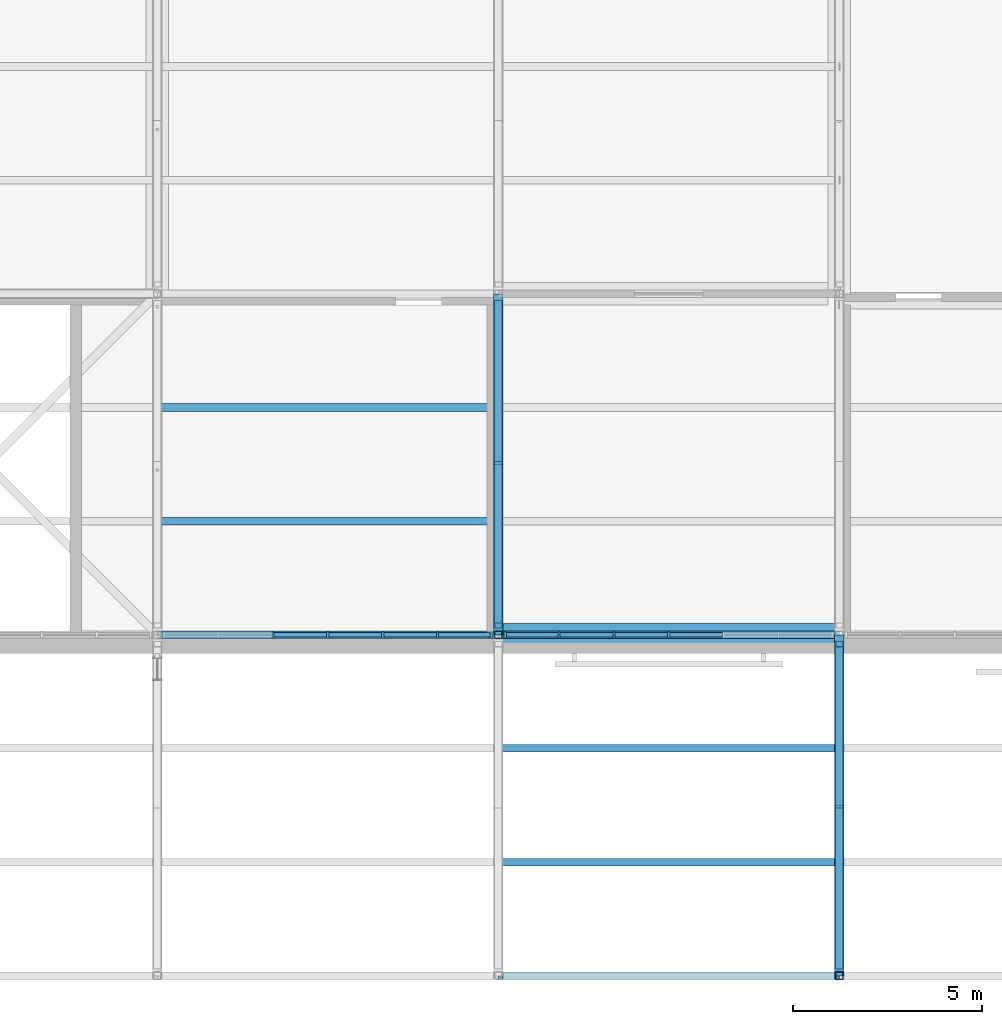
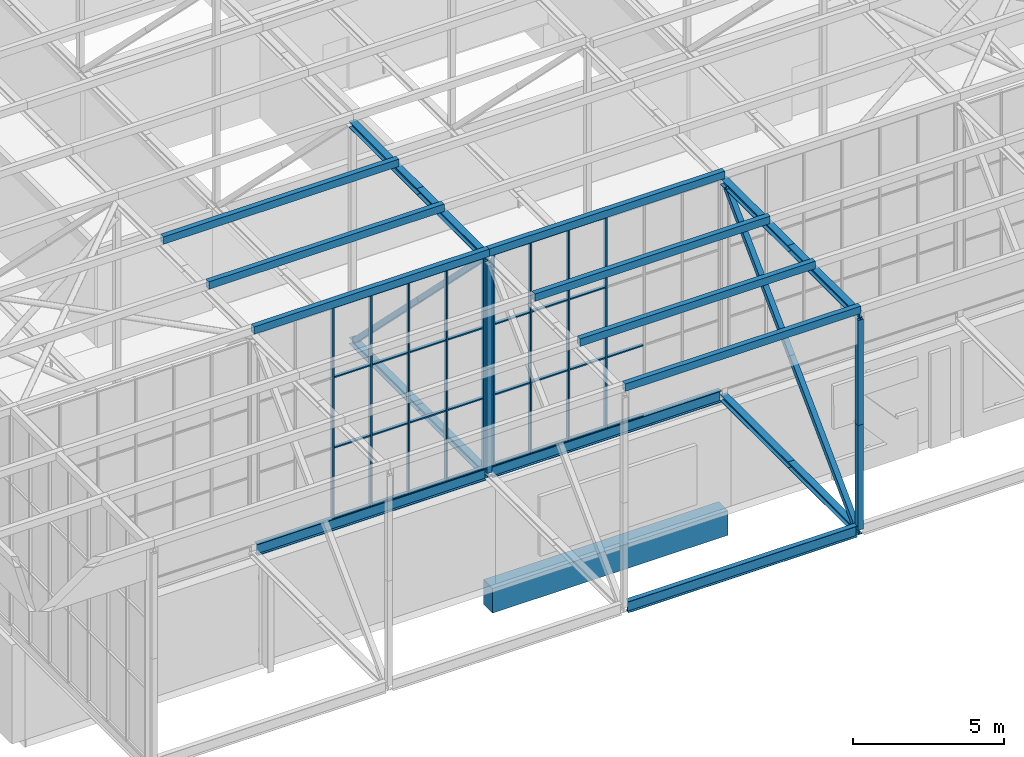
# One storey, part 11 of 646: 62 members, 4 beams, 2 elements without a shape of their own.
"""IFC4 building model written with IfcOpenShell, lengths in metres."""

from ifc_helpers import new_model, si_unit, direction, frame, origin, origin_2d, place, context, subcontext, project, spatial, rectangle, hollow_rectangle, i_section, extrude, material, material_profile, profile_set, type_object, element, aggregate, save


model = new_model("IFC4")

# Units and contexts
model_context = context("Model", 3, precision=1e-05, world=origin(), true_north=direction((0.0, 1.0)))
body_context = subcontext(model_context, "Body", "Model", "MODEL_VIEW")
ifc_project = project(units=[si_unit("LENGTHUNIT", "METRE"), si_unit("AREAUNIT", "SQUARE_METRE"), si_unit("VOLUMEUNIT", "CUBIC_METRE"), si_unit("PLANEANGLEUNIT", "RADIAN"), si_unit("MASSUNIT", "GRAM", prefix="KILO")], contexts=[model_context])

# Site, building, storey
site_placement = place(None, origin())
site = spatial("IfcSite", under=ifc_project, at=site_placement, CompositionType="ELEMENT")
building_placement = place(site_placement, origin())
building = spatial("IfcBuilding", under=site, at=building_placement, Name="Silverbay Arena", CompositionType="ELEMENT")
storey_placement = place(building_placement, frame((0.0, 0.0, 33.5)))
storey = spatial("IfcBuildingStorey", under=building, at=storey_placement, Name="L05", CompositionType="ELEMENT", Elevation=33.5)

# Members
ifc_material_1 = material(Name="Steel S355", Category="steel")
ifc_material_profile_1 = material_profile(ifc_material_1, i_section(OverallWidth=0.254638671875, OverallDepth=0.254150390625, WebThickness=0.008544921875, FlangeThickness=0.01416015625, at=origin_2d()), Name="UC 254x254x73")
ifc_profile_set_1 = profile_set([ifc_material_profile_1], Name="Steel S355")
member_type_1 = type_object("IfcMemberType", Name="Long-span bottom chord UC 254x254x73", PredefinedType="CHORD", material=ifc_profile_set_1)
for number, where, z_axis, x_axis, name in (
    (1, (81.0, 9.0, 4.126953125), (0.0, 1.0, 0.0), (-1.0, 0.0, 0.0), "ROOF TRUSS 10 bottom chord 01a"),
    (2, (81.0, 13.5, 4.126953125), (0.0, 1.0, 0.0), (-1.0, 0.0, 0.0), "ROOF TRUSS 10 bottom chord 01b"),
):
    element("IfcMember", number, at=place(storey_placement, frame(where, z_axis=z_axis, x_axis=x_axis)), inside=storey, type_object=member_type_1, Name=name, PredefinedType="CHORD", context=body_context, shape_type="SweptSolid", body=[
        extrude(i_section(OverallWidth=0.254638671875, OverallDepth=0.254150390625, WebThickness=0.008544921875, FlangeThickness=0.01416015625, at=origin_2d()), origin(), (0.0, 0.0, 1.0), 4.5),
    ])
ifc_material_2 = material(Name="Steel S355", Category="steel")
ifc_material_profile_2 = material_profile(ifc_material_2, i_section(OverallWidth=0.254638671875, OverallDepth=0.254150390625, WebThickness=0.008544921875, FlangeThickness=0.01416015625, at=origin_2d()), Name="UC 254x254x73")
ifc_profile_set_2 = profile_set([ifc_material_profile_2], Name="Steel S355")
member_type_2 = type_object("IfcMemberType", Name="Long-span top chord UC 254x254x73", PredefinedType="CHORD", material=ifc_profile_set_2)
for number, where, z_axis, x_axis, name in (
    (3, (81.0, 9.0, 12.873046875), (0.0, 1.0, 0.0), (-1.0, 0.0, 0.0), "ROOF TRUSS 10 top chord 01a"),
    (4, (81.0, 13.5, 12.873046875), (0.0, 1.0, 0.0), (-1.0, 0.0, 0.0), "ROOF TRUSS 10 top chord 01b"),
):
    element("IfcMember", number, at=place(storey_placement, frame(where, z_axis=z_axis, x_axis=x_axis)), inside=storey, type_object=member_type_2, Name=name, PredefinedType="CHORD", context=body_context, shape_type="SweptSolid", body=[
        extrude(i_section(OverallWidth=0.254638671875, OverallDepth=0.254150390625, WebThickness=0.008544921875, FlangeThickness=0.01416015625, at=origin_2d()), origin(), (0.0, 0.0, 1.0), 4.5),
    ])
ifc_material_3 = material(Name="Steel S355", Category="steel")
ifc_material_profile_3 = material_profile(ifc_material_3, hollow_rectangle(XDim=0.199951171875, YDim=0.199951171875, WallThickness=0.008056640625, at=origin_2d()), Name="SHS 200x200x8")
ifc_profile_set_3 = profile_set([ifc_material_profile_3], Name="Steel S355")
member_type_3 = type_object("IfcMemberType", Name="Long-span truss diagonal SHS 200x200x8", PredefinedType="BRACE", material=ifc_profile_set_3)
for number, where, z_axis, x_axis, name in (
    (5, (81.0, 17.75439453125, 12.745849609375), (0.0, -0.70781724692, -0.706395600894), (1.0, 0.0, 0.0), "ROOF TRUSS 10 diagonal 01a"),
    (6, (81.0, 13.5, 8.5), (0.0, -0.70781724692, -0.706395600894), (1.0, 0.0, 0.0), "ROOF TRUSS 10 diagonal 01b"),
):
    element("IfcMember", number, at=place(storey_placement, frame(where, z_axis=z_axis, x_axis=x_axis)), inside=storey, type_object=member_type_3, Name=name, PredefinedType="BRACE", context=body_context, shape_type="SweptSolid", body=[
        extrude(hollow_rectangle(XDim=0.199951171875, YDim=0.199951171875, WallThickness=0.008056640625, at=origin_2d()), origin(), (0.0, 0.0, 1.0), 6.010498046875),
    ])
ifc_material_4 = material(Name="Steel S355", Category="steel")
ifc_material_profile_4 = material_profile(ifc_material_4, hollow_rectangle(XDim=0.199951171875, YDim=0.199951171875, WallThickness=0.008056640625, at=origin_2d()), Name="SHS 200x200x8")
ifc_profile_set_4 = profile_set([ifc_material_profile_4], Name="Steel S355")
member_type_4 = type_object("IfcMemberType", Name="Long-span truss vertical SHS 200x200x8", PredefinedType="STRUT", material=ifc_profile_set_4)
for number, where, z_axis, x_axis, name in (
    (7, (81.0, 9.0, 4.254150390625), (0.0, 0.0, 1.0), (1.0, 0.0, 0.0), "ROOF TRUSS 10 vertical 01a"),
    (8, (81.0, 9.0, 8.5), (0.0, 0.0, 1.0), (1.0, 0.0, 0.0), "ROOF TRUSS 10 vertical 01b"),
):
    element("IfcMember", number, at=place(storey_placement, frame(where, z_axis=z_axis, x_axis=x_axis)), inside=storey, type_object=member_type_4, Name=name, PredefinedType="STRUT", context=body_context, shape_type="SweptSolid", body=[
        extrude(hollow_rectangle(XDim=0.199951171875, YDim=0.199951171875, WallThickness=0.008056640625, at=origin_2d()), origin(), (0.0, 0.0, 1.0), 4.245849609375),
    ])
ifc_material_5 = material(Name="Steel S355", Category="steel")
ifc_material_profile_5 = material_profile(ifc_material_5, i_section(OverallWidth=0.254638671875, OverallDepth=0.254150390625, WebThickness=0.008544921875, FlangeThickness=0.01416015625, at=origin_2d()), Name="UC 254x254x73")
ifc_profile_set_5 = profile_set([ifc_material_profile_5], Name="Steel S355")
member_type_5 = type_object("IfcMemberType", Name="Medium-span bottom chord UC 254x254x73", PredefinedType="CHORD", material=ifc_profile_set_5)
for number, where, z_axis, x_axis, name in (
    (9, (72.0, 18.0, 4.126953125), (0.0, 1.0, 0.0), (-1.0, 0.0, 0.0), "ROOF TRUSS 9 bottom chord 02a"),
    (10, (72.0, 22.5, 4.126953125), (0.0, 1.0, 0.0), (-1.0, 0.0, 0.0), "ROOF TRUSS 9 bottom chord 02b"),
):
    element("IfcMember", number, at=place(storey_placement, frame(where, z_axis=z_axis, x_axis=x_axis)), inside=storey, type_object=member_type_5, Name=name, PredefinedType="CHORD", context=body_context, shape_type="SweptSolid", body=[
        extrude(i_section(OverallWidth=0.254638671875, OverallDepth=0.254150390625, WebThickness=0.008544921875, FlangeThickness=0.01416015625, at=origin_2d()), origin(), (0.0, 0.0, 1.0), 4.5),
    ])
ifc_material_6 = material(Name="Steel S355", Category="steel")
ifc_material_profile_6 = material_profile(ifc_material_6, i_section(OverallWidth=0.254638671875, OverallDepth=0.254150390625, WebThickness=0.008544921875, FlangeThickness=0.01416015625, at=origin_2d()), Name="UC 254x254x73")
ifc_profile_set_6 = profile_set([ifc_material_profile_6], Name="Steel S355")
member_type_6 = type_object("IfcMemberType", Name="Medium-span top chord UC 254x254x73", PredefinedType="CHORD", material=ifc_profile_set_6)
for number, where, z_axis, x_axis, name in (
    (11, (72.0, 18.0, 12.873046875), (0.0, 1.0, 0.0), (-1.0, 0.0, 0.0), "ROOF TRUSS 9 top chord 02a"),
    (12, (72.0, 22.5, 12.873046875), (0.0, 1.0, 0.0), (-1.0, 0.0, 0.0), "ROOF TRUSS 9 top chord 02b"),
):
    element("IfcMember", number, at=place(storey_placement, frame(where, z_axis=z_axis, x_axis=x_axis)), inside=storey, type_object=member_type_6, Name=name, PredefinedType="CHORD", context=body_context, shape_type="SweptSolid", body=[
        extrude(i_section(OverallWidth=0.254638671875, OverallDepth=0.254150390625, WebThickness=0.008544921875, FlangeThickness=0.01416015625, at=origin_2d()), origin(), (0.0, 0.0, 1.0), 4.5),
    ])
ifc_material_7 = material(Name="Steel S355", Category="steel")
ifc_material_profile_7 = material_profile(ifc_material_7, hollow_rectangle(XDim=0.199951171875, YDim=0.199951171875, WallThickness=0.008056640625, at=origin_2d()), Name="SHS 200x200x8")
ifc_profile_set_7 = profile_set([ifc_material_profile_7], Name="Steel S355")
member_type_7 = type_object("IfcMemberType", Name="Medium-span truss diagonal SHS 200x200x8", PredefinedType="BRACE", material=ifc_profile_set_7)
for number, where, z_axis, x_axis, name in (
    (13, (72.0, 18.24560546875, 12.745849609375), (0.0, 0.70781724692, -0.706395600894), (-1.0, 0.0, 0.0), "ROOF TRUSS 9 diagonal 02a"),
    (14, (72.0, 22.5, 8.5), (0.0, 0.70781724692, -0.706395600894), (-1.0, 0.0, 0.0), "ROOF TRUSS 9 diagonal 02b"),
):
    element("IfcMember", number, at=place(storey_placement, frame(where, z_axis=z_axis, x_axis=x_axis)), inside=storey, type_object=member_type_7, Name=name, PredefinedType="BRACE", context=body_context, shape_type="SweptSolid", body=[
        extrude(hollow_rectangle(XDim=0.199951171875, YDim=0.199951171875, WallThickness=0.008056640625, at=origin_2d()), origin(), (0.0, 0.0, 1.0), 6.010498046875),
    ])
ifc_material_8 = material(Name="Steel S355", Category="steel")
ifc_material_profile_8 = material_profile(ifc_material_8, hollow_rectangle(XDim=0.199951171875, YDim=0.199951171875, WallThickness=0.008056640625, at=origin_2d()), Name="SHS 200x200x8")
ifc_profile_set_8 = profile_set([ifc_material_profile_8], Name="Steel S355")
member_type_8 = type_object("IfcMemberType", Name="Medium-span truss vertical SHS 200x200x8", PredefinedType="STRUT", material=ifc_profile_set_8)
for number, where, z_axis, x_axis, name in (
    (15, (72.0, 18.0, 4.254150390625), (0.0, 0.0, 1.0), (1.0, 0.0, 0.0), "ROOF TRUSS 9 vertical 02a"),
    (16, (72.0, 18.0, 8.5), (0.0, 0.0, 1.0), (1.0, 0.0, 0.0), "ROOF TRUSS 9 vertical 02b"),
):
    element("IfcMember", number, at=place(storey_placement, frame(where, z_axis=z_axis, x_axis=x_axis)), inside=storey, type_object=member_type_8, Name=name, PredefinedType="STRUT", context=body_context, shape_type="SweptSolid", body=[
        extrude(hollow_rectangle(XDim=0.199951171875, YDim=0.199951171875, WallThickness=0.008056640625, at=origin_2d()), origin(), (0.0, 0.0, 1.0), 4.245849609375),
    ])

# Curtain wall, members
ifc_material_9 = material(Name="Aluminium framed glazing", Category="aluminium")
curtain_wall_type = type_object("IfcCurtainWallType", Name="Curtain wall clerestory 8693 x 8540", PredefinedType="NOTDEFINED", material=ifc_material_9)
curtain_wall_1_placement = place(storey_placement, origin())
curtain_wall_1 = element("IfcCurtainWall", 17, at=curtain_wall_1_placement, inside=storey, type_object=curtain_wall_type, Name="ROOF CLERESTORY CURTAIN WALL south bay 02", PredefinedType="NOTDEFINED")
ifc_material_10 = material(Name="Aluminium", Category="aluminium")
ifc_material_profile_9 = material_profile(ifc_material_10, rectangle(XDim=0.159912109375, YDim=0.06005859375, at=origin_2d()), Name="Mullion 60 x 160")
ifc_profile_set_9 = profile_set([ifc_material_profile_9], Name="Aluminium")
member_type_9 = type_object("IfcMemberType", Name="Mullion 60 x 160", PredefinedType="MULLION", material=ifc_profile_set_9)
member_1_placement = place(storey_placement, frame((66.05126953125, 18.0, 4.4599609375), z_axis=(0.0, 0.0, 1.0), x_axis=(0.0, 1.0, 0.0)))
member_1 = element("IfcMember", 18, at=member_1_placement, type_object=member_type_9, Name="CW55 mullion 3", PredefinedType="MULLION", context=body_context, shape_type="SweptSolid", body=[
    extrude(rectangle(XDim=0.159912109375, YDim=0.06005859375, at=origin_2d()), origin(), (0.0, 0.0, 1.0), 8.5400390625),
])
member_2_placement = place(storey_placement, frame((67.5, 18.0, 4.4599609375), z_axis=(0.0, 0.0, 1.0), x_axis=(0.0, 1.0, 0.0)))
member_2 = element("IfcMember", 19, at=member_2_placement, type_object=member_type_9, Name="CW55 mullion 4", PredefinedType="MULLION", context=body_context, shape_type="SweptSolid", body=[
    extrude(rectangle(XDim=0.159912109375, YDim=0.06005859375, at=origin_2d()), origin(), (0.0, 0.0, 1.0), 8.5400390625),
])
member_3_placement = place(storey_placement, frame((68.94873046875, 18.0, 4.4599609375), z_axis=(0.0, 0.0, 1.0), x_axis=(0.0, 1.0, 0.0)))
member_3 = element("IfcMember", 20, at=member_3_placement, type_object=member_type_9, Name="CW55 mullion 5", PredefinedType="MULLION", context=body_context, shape_type="SweptSolid", body=[
    extrude(rectangle(XDim=0.159912109375, YDim=0.06005859375, at=origin_2d()), origin(), (0.0, 0.0, 1.0), 8.5400390625),
])
member_4_placement = place(storey_placement, frame((70.3974609375, 18.0, 4.4599609375), z_axis=(0.0, 0.0, 1.0), x_axis=(0.0, 1.0, 0.0)))
member_4 = element("IfcMember", 21, at=member_4_placement, type_object=member_type_9, Name="CW55 mullion 6", PredefinedType="MULLION", context=body_context, shape_type="SweptSolid", body=[
    extrude(rectangle(XDim=0.159912109375, YDim=0.06005859375, at=origin_2d()), origin(), (0.0, 0.0, 1.0), 8.5400390625),
])
member_5_placement = place(storey_placement, frame((71.81640625, 18.0, 4.4599609375), z_axis=(0.0, 0.0, 1.0), x_axis=(0.0, 1.0, 0.0)))
member_5 = element("IfcMember", 22, at=member_5_placement, type_object=member_type_9, Name="CW55 mullion 7", PredefinedType="MULLION", context=body_context, shape_type="SweptSolid", body=[
    extrude(rectangle(XDim=0.159912109375, YDim=0.06005859375, at=origin_2d()), origin(), (0.0, 0.0, 1.0), 8.5400390625),
])

curtain_wall_2_placement = place(storey_placement, origin())
curtain_wall_2 = element("IfcCurtainWall", 23, at=curtain_wall_2_placement, inside=storey, type_object=curtain_wall_type, Name="ROOF CLERESTORY CURTAIN WALL south bay 03", PredefinedType="NOTDEFINED")
member_6_placement = place(storey_placement, frame((72.18359375, 18.0, 4.4599609375), z_axis=(0.0, 0.0, 1.0), x_axis=(0.0, 1.0, 0.0)))
member_6 = element("IfcMember", 24, at=member_6_placement, type_object=member_type_9, Name="CW55 mullion 1", PredefinedType="MULLION", context=body_context, shape_type="SweptSolid", body=[
    extrude(rectangle(XDim=0.159912109375, YDim=0.06005859375, at=origin_2d()), origin(), (0.0, 0.0, 1.0), 8.5400390625),
])
member_7_placement = place(storey_placement, frame((73.6025390625, 18.0, 4.4599609375), z_axis=(0.0, 0.0, 1.0), x_axis=(0.0, 1.0, 0.0)))
member_7 = element("IfcMember", 25, at=member_7_placement, type_object=member_type_9, Name="CW55 mullion 2", PredefinedType="MULLION", context=body_context, shape_type="SweptSolid", body=[
    extrude(rectangle(XDim=0.159912109375, YDim=0.06005859375, at=origin_2d()), origin(), (0.0, 0.0, 1.0), 8.5400390625),
])
member_8_placement = place(storey_placement, frame((75.05126953125, 18.0, 4.4599609375), z_axis=(0.0, 0.0, 1.0), x_axis=(0.0, 1.0, 0.0)))
member_8 = element("IfcMember", 26, at=member_8_placement, type_object=member_type_9, Name="CW55 mullion 3", PredefinedType="MULLION", context=body_context, shape_type="SweptSolid", body=[
    extrude(rectangle(XDim=0.159912109375, YDim=0.06005859375, at=origin_2d()), origin(), (0.0, 0.0, 1.0), 8.5400390625),
])
member_9_placement = place(storey_placement, frame((76.5, 18.0, 4.4599609375), z_axis=(0.0, 0.0, 1.0), x_axis=(0.0, 1.0, 0.0)))
member_9 = element("IfcMember", 27, at=member_9_placement, type_object=member_type_9, Name="CW55 mullion 4", PredefinedType="MULLION", context=body_context, shape_type="SweptSolid", body=[
    extrude(rectangle(XDim=0.159912109375, YDim=0.06005859375, at=origin_2d()), origin(), (0.0, 0.0, 1.0), 8.5400390625),
])

# Members
ifc_material_11 = material(Name="Steel S355", Category="steel")
ifc_material_profile_10 = material_profile(ifc_material_11, hollow_rectangle(XDim=0.199951171875, YDim=0.300048828125, WallThickness=0.00634765625, at=origin_2d()), Name="RHS 300x200x6.3")
ifc_profile_set_10 = profile_set([ifc_material_profile_10], Name="Steel S355")
member_type_10 = type_object("IfcMemberType", Name="Purlin RHS 300x200x6.3", PredefinedType="PURLIN", material=ifc_profile_set_10)
member_10_placement = place(storey_placement, frame((63.0, 24.0, 13.14990234375), z_axis=(1.0, 0.0, 0.0), x_axis=(0.0, 1.0, 0.0)))
element("IfcMember", 28, at=member_10_placement, inside=storey, type_object=member_type_10, Name="ROOF PURLIN 8-9 line 06", PredefinedType="PURLIN", context=body_context, shape_type="SweptSolid", body=[
    extrude(hollow_rectangle(XDim=0.199951171875, YDim=0.300048828125, WallThickness=0.00634765625, at=origin_2d()), origin(), (0.0, 0.0, 1.0), 9.0),
])
ifc_material_12 = material(Name="Steel S355", Category="steel")
ifc_material_profile_11 = material_profile(ifc_material_12, hollow_rectangle(XDim=0.199951171875, YDim=0.300048828125, WallThickness=0.008056640625, at=origin_2d()), Name="RHS 300x200x8")
ifc_profile_set_11 = profile_set([ifc_material_profile_11], Name="Steel S355")
member_type_11 = type_object("IfcMemberType", Name="Purlin RHS 300x200x8", PredefinedType="PURLIN", material=ifc_profile_set_11)
for number, where, z_axis, x_axis, name in (
    (29, (63.0, 18.0, 13.14990234375), (1.0, 0.0, 0.0), (0.0, 1.0, 0.0), "ROOF PURLIN 8-9 line 04"),
    (30, (63.0, 21.0, 13.14990234375), (1.0, 0.0, 0.0), (0.0, 1.0, 0.0), "ROOF PURLIN 8-9 line 05"),
    (31, (72.0, 9.0, 13.14990234375), (1.0, 0.0, 0.0), (0.0, 1.0, 0.0), "ROOF PURLIN 9-10 line 01"),
    (32, (72.0, 12.0, 13.14990234375), (1.0, 0.0, 0.0), (0.0, 1.0, 0.0), "ROOF PURLIN 9-10 line 02"),
    (33, (72.0, 15.0, 13.14990234375), (1.0, 0.0, 0.0), (0.0, 1.0, 0.0), "ROOF PURLIN 9-10 line 03"),
    (34, (72.0, 18.0, 13.14990234375), (1.0, 0.0, 0.0), (0.0, 1.0, 0.0), "ROOF PURLIN 9-10 line 04"),
):
    element("IfcMember", number, at=place(storey_placement, frame(where, z_axis=z_axis, x_axis=x_axis)), inside=storey, type_object=member_type_11, Name=name, PredefinedType="PURLIN", context=body_context, shape_type="SweptSolid", body=[
        extrude(hollow_rectangle(XDim=0.199951171875, YDim=0.300048828125, WallThickness=0.008056640625, at=origin_2d()), origin(), (0.0, 0.0, 1.0), 9.0),
    ])

# Beams
ifc_material_13 = material(Name="Concrete Grade C45", Category="concrete")
ifc_material_profile_12 = material_profile(ifc_material_13, rectangle(XDim=0.60009765625, YDim=1.0, at=origin_2d()), Name="RC 600x1000")
ifc_profile_set_12 = profile_set([ifc_material_profile_12], Name="Concrete Grade C45")
beam_type_1 = type_object("IfcBeamType", Name="RC beam 600x1000", PredefinedType="BEAM", material=ifc_profile_set_12)
beam_1_placement = place(storey_placement, frame((72.0, 18.0, -0.800048828125), z_axis=(1.0, 0.0, 0.0), x_axis=(0.0, 1.0, 0.0)))
element("IfcBeam", 35, at=beam_1_placement, inside=storey, type_object=beam_type_1, Name="Floor beam L05 001", PredefinedType="BEAM", context=body_context, shape_type="SweptSolid", body=[
    extrude(rectangle(XDim=0.60009765625, YDim=1.0, at=origin_2d()), origin(), (0.0, 0.0, 1.0), 9.0),
])
ifc_material_14 = material(Name="Steel S355", Category="steel")
ifc_material_profile_13 = material_profile(ifc_material_14, i_section(OverallWidth=0.18994140625, OverallDepth=0.453369140625, WebThickness=0.008544921875, FlangeThickness=0.0126953125, at=origin_2d()), Name="UB 457x191x67")
ifc_profile_set_13 = profile_set([ifc_material_profile_13], Name="Steel S355")
beam_type_2 = type_object("IfcBeamType", Name="Ring beam UB 457x191x67", PredefinedType="BEAM", material=ifc_profile_set_13)
beam_2_placement = place(storey_placement, frame((72.127197265625, 9.0, 4.226806640625), z_axis=(1.0, 0.0, 0.0), x_axis=(0.0, 1.0, 0.0)))
element("IfcBeam", 36, at=beam_2_placement, inside=storey, type_object=beam_type_2, Name="RING BEAM south edge 9-10", PredefinedType="BEAM", context=body_context, shape_type="SweptSolid", body=[
    extrude(i_section(OverallWidth=0.18994140625, OverallDepth=0.453369140625, WebThickness=0.008544921875, FlangeThickness=0.0126953125, at=origin_2d()), origin(), (0.0, 0.0, 1.0), 8.74560546875),
])
ifc_material_15 = material(Name="Steel S355", Category="steel")
ifc_material_profile_14 = material_profile(ifc_material_15, i_section(OverallWidth=0.19140625, OverallDepth=0.4599609375, WebThickness=0.010009765625, FlangeThickness=0.01611328125, at=origin_2d()), Name="UB 457x191x82")
ifc_profile_set_14 = profile_set([ifc_material_profile_14], Name="Steel S355")
beam_type_3 = type_object("IfcBeamType", Name="Ring beam UB 457x191x82", PredefinedType="BEAM", material=ifc_profile_set_14)
for number, where, z_axis, x_axis, name in (
    (37, (63.127197265625, 18.0, 4.22998046875), (1.0, 0.0, 0.0), (0.0, 1.0, 0.0), "RING BEAM south facade 8-9"),
    (38, (72.127197265625, 18.0, 4.22998046875), (1.0, 0.0, 0.0), (0.0, 1.0, 0.0), "RING BEAM south facade 9-10"),
):
    element("IfcBeam", number, at=place(storey_placement, frame(where, z_axis=z_axis, x_axis=x_axis)), inside=storey, type_object=beam_type_3, Name=name, PredefinedType="BEAM", context=body_context, shape_type="SweptSolid", body=[
        extrude(i_section(OverallWidth=0.19140625, OverallDepth=0.4599609375, WebThickness=0.010009765625, FlangeThickness=0.01611328125, at=origin_2d()), origin(), (0.0, 0.0, 1.0), 8.74560546875),
    ])

# Member
ifc_material_16 = material(Name="Aluminium", Category="aluminium")
ifc_material_profile_15 = material_profile(ifc_material_16, rectangle(XDim=0.1201171875, YDim=0.050048828125, at=origin_2d()), Name="Transom 50 x 120")
ifc_profile_set_15 = profile_set([ifc_material_profile_15], Name="Aluminium")
member_type_12 = type_object("IfcMemberType", Name="Transom 50 x 120", PredefinedType="USERDEFINED", material=ifc_profile_set_15)
member_11_placement = place(storey_placement, frame((66.081298828125, 18.0, 4.485107421875), z_axis=(1.0, 0.0, 0.0), x_axis=(0.0, 1.0, 0.0)))
member_11 = element("IfcMember", 39, at=member_11_placement, type_object=member_type_12, Name="CW55 transom 3.1", ObjectType="TRANSOM", PredefinedType="USERDEFINED", context=body_context, shape_type="SweptSolid", body=[
    extrude(rectangle(XDim=0.1201171875, YDim=0.050048828125, at=origin_2d()), origin(), (0.0, 0.0, 1.0), 1.388671875),
])

member_12_placement = place(storey_placement, frame((66.081298828125, 18.0, 7.306640625), z_axis=(1.0, 0.0, 0.0), x_axis=(0.0, 1.0, 0.0)))
member_12 = element("IfcMember", 40, at=member_12_placement, type_object=member_type_12, Name="CW55 transom 3.2", ObjectType="TRANSOM", PredefinedType="USERDEFINED", context=body_context, shape_type="SweptSolid", body=[
    extrude(rectangle(XDim=0.1201171875, YDim=0.050048828125, at=origin_2d()), origin(), (0.0, 0.0, 1.0), 1.388671875),
])

member_13_placement = place(storey_placement, frame((66.081298828125, 18.0, 10.1533203125), z_axis=(1.0, 0.0, 0.0), x_axis=(0.0, 1.0, 0.0)))
member_13 = element("IfcMember", 41, at=member_13_placement, type_object=member_type_12, Name="CW55 transom 3.3", ObjectType="TRANSOM", PredefinedType="USERDEFINED", context=body_context, shape_type="SweptSolid", body=[
    extrude(rectangle(XDim=0.1201171875, YDim=0.050048828125, at=origin_2d()), origin(), (0.0, 0.0, 1.0), 1.388671875),
])

member_14_placement = place(storey_placement, frame((66.081298828125, 18.0, 12.97509765625), z_axis=(1.0, 0.0, 0.0), x_axis=(0.0, 1.0, 0.0)))
member_14 = element("IfcMember", 42, at=member_14_placement, type_object=member_type_12, Name="CW55 transom 3.4", ObjectType="TRANSOM", PredefinedType="USERDEFINED", context=body_context, shape_type="SweptSolid", body=[
    extrude(rectangle(XDim=0.1201171875, YDim=0.050048828125, at=origin_2d()), origin(), (0.0, 0.0, 1.0), 1.388671875),
])

member_15_placement = place(storey_placement, frame((67.530029296875, 18.0, 4.485107421875), z_axis=(1.0, 0.0, 0.0), x_axis=(0.0, 1.0, 0.0)))
member_15 = element("IfcMember", 43, at=member_15_placement, type_object=member_type_12, Name="CW55 transom 4.1", ObjectType="TRANSOM", PredefinedType="USERDEFINED", context=body_context, shape_type="SweptSolid", body=[
    extrude(rectangle(XDim=0.1201171875, YDim=0.050048828125, at=origin_2d()), origin(), (0.0, 0.0, 1.0), 1.388671875),
])

member_16_placement = place(storey_placement, frame((67.530029296875, 18.0, 7.306640625), z_axis=(1.0, 0.0, 0.0), x_axis=(0.0, 1.0, 0.0)))
member_16 = element("IfcMember", 44, at=member_16_placement, type_object=member_type_12, Name="CW55 transom 4.2", ObjectType="TRANSOM", PredefinedType="USERDEFINED", context=body_context, shape_type="SweptSolid", body=[
    extrude(rectangle(XDim=0.1201171875, YDim=0.050048828125, at=origin_2d()), origin(), (0.0, 0.0, 1.0), 1.388671875),
])

member_17_placement = place(storey_placement, frame((67.530029296875, 18.0, 10.1533203125), z_axis=(1.0, 0.0, 0.0), x_axis=(0.0, 1.0, 0.0)))
member_17 = element("IfcMember", 45, at=member_17_placement, type_object=member_type_12, Name="CW55 transom 4.3", ObjectType="TRANSOM", PredefinedType="USERDEFINED", context=body_context, shape_type="SweptSolid", body=[
    extrude(rectangle(XDim=0.1201171875, YDim=0.050048828125, at=origin_2d()), origin(), (0.0, 0.0, 1.0), 1.388671875),
])

member_18_placement = place(storey_placement, frame((67.530029296875, 18.0, 12.97509765625), z_axis=(1.0, 0.0, 0.0), x_axis=(0.0, 1.0, 0.0)))
member_18 = element("IfcMember", 46, at=member_18_placement, type_object=member_type_12, Name="CW55 transom 4.4", ObjectType="TRANSOM", PredefinedType="USERDEFINED", context=body_context, shape_type="SweptSolid", body=[
    extrude(rectangle(XDim=0.1201171875, YDim=0.050048828125, at=origin_2d()), origin(), (0.0, 0.0, 1.0), 1.388671875),
])

member_19_placement = place(storey_placement, frame((68.978759765625, 18.0, 4.485107421875), z_axis=(1.0, 0.0, 0.0), x_axis=(0.0, 1.0, 0.0)))
member_19 = element("IfcMember", 47, at=member_19_placement, type_object=member_type_12, Name="CW55 transom 5.1", ObjectType="TRANSOM", PredefinedType="USERDEFINED", context=body_context, shape_type="SweptSolid", body=[
    extrude(rectangle(XDim=0.1201171875, YDim=0.050048828125, at=origin_2d()), origin(), (0.0, 0.0, 1.0), 1.388671875),
])

member_20_placement = place(storey_placement, frame((68.978759765625, 18.0, 7.306640625), z_axis=(1.0, 0.0, 0.0), x_axis=(0.0, 1.0, 0.0)))
member_20 = element("IfcMember", 48, at=member_20_placement, type_object=member_type_12, Name="CW55 transom 5.2", ObjectType="TRANSOM", PredefinedType="USERDEFINED", context=body_context, shape_type="SweptSolid", body=[
    extrude(rectangle(XDim=0.1201171875, YDim=0.050048828125, at=origin_2d()), origin(), (0.0, 0.0, 1.0), 1.388671875),
])

member_21_placement = place(storey_placement, frame((68.978759765625, 18.0, 10.1533203125), z_axis=(1.0, 0.0, 0.0), x_axis=(0.0, 1.0, 0.0)))
member_21 = element("IfcMember", 49, at=member_21_placement, type_object=member_type_12, Name="CW55 transom 5.3", ObjectType="TRANSOM", PredefinedType="USERDEFINED", context=body_context, shape_type="SweptSolid", body=[
    extrude(rectangle(XDim=0.1201171875, YDim=0.050048828125, at=origin_2d()), origin(), (0.0, 0.0, 1.0), 1.388671875),
])

member_22_placement = place(storey_placement, frame((68.978759765625, 18.0, 12.97509765625), z_axis=(1.0, 0.0, 0.0), x_axis=(0.0, 1.0, 0.0)))
member_22 = element("IfcMember", 50, at=member_22_placement, type_object=member_type_12, Name="CW55 transom 5.4", ObjectType="TRANSOM", PredefinedType="USERDEFINED", context=body_context, shape_type="SweptSolid", body=[
    extrude(rectangle(XDim=0.1201171875, YDim=0.050048828125, at=origin_2d()), origin(), (0.0, 0.0, 1.0), 1.388671875),
])

member_23_placement = place(storey_placement, frame((70.427490234375, 18.0, 4.485107421875), z_axis=(1.0, 0.0, 0.0), x_axis=(0.0, 1.0, 0.0)))
member_23 = element("IfcMember", 51, at=member_23_placement, type_object=member_type_12, Name="CW55 transom 6.1", ObjectType="TRANSOM", PredefinedType="USERDEFINED", context=body_context, shape_type="SweptSolid", body=[
    extrude(rectangle(XDim=0.1201171875, YDim=0.050048828125, at=origin_2d()), origin(), (0.0, 0.0, 1.0), 1.35888671875),
])

member_24_placement = place(storey_placement, frame((70.427490234375, 18.0, 7.306640625), z_axis=(1.0, 0.0, 0.0), x_axis=(0.0, 1.0, 0.0)))
member_24 = element("IfcMember", 52, at=member_24_placement, type_object=member_type_12, Name="CW55 transom 6.2", ObjectType="TRANSOM", PredefinedType="USERDEFINED", context=body_context, shape_type="SweptSolid", body=[
    extrude(rectangle(XDim=0.1201171875, YDim=0.050048828125, at=origin_2d()), origin(), (0.0, 0.0, 1.0), 1.35888671875),
])

member_25_placement = place(storey_placement, frame((70.427490234375, 18.0, 10.1533203125), z_axis=(1.0, 0.0, 0.0), x_axis=(0.0, 1.0, 0.0)))
member_25 = element("IfcMember", 53, at=member_25_placement, type_object=member_type_12, Name="CW55 transom 6.3", ObjectType="TRANSOM", PredefinedType="USERDEFINED", context=body_context, shape_type="SweptSolid", body=[
    extrude(rectangle(XDim=0.1201171875, YDim=0.050048828125, at=origin_2d()), origin(), (0.0, 0.0, 1.0), 1.35888671875),
])

member_26_placement = place(storey_placement, frame((70.427490234375, 18.0, 12.97509765625), z_axis=(1.0, 0.0, 0.0), x_axis=(0.0, 1.0, 0.0)))
member_26 = element("IfcMember", 54, at=member_26_placement, type_object=member_type_12, Name="CW55 transom 6.4", ObjectType="TRANSOM", PredefinedType="USERDEFINED", context=body_context, shape_type="SweptSolid", body=[
    extrude(rectangle(XDim=0.1201171875, YDim=0.050048828125, at=origin_2d()), origin(), (0.0, 0.0, 1.0), 1.35888671875),
])

aggregate(curtain_wall_1, [member_1, member_2, member_3, member_4, member_5, member_11, member_12, member_13, member_14, member_15, member_16, member_17, member_18, member_19, member_20, member_21, member_22, member_23, member_24, member_25, member_26])

member_27_placement = place(storey_placement, frame((72.213623046875, 18.0, 4.485107421875), z_axis=(1.0, 0.0, 0.0), x_axis=(0.0, 1.0, 0.0)))
member_27 = element("IfcMember", 55, at=member_27_placement, type_object=member_type_12, Name="CW55 transom 1.1", ObjectType="TRANSOM", PredefinedType="USERDEFINED", context=body_context, shape_type="SweptSolid", body=[
    extrude(rectangle(XDim=0.1201171875, YDim=0.050048828125, at=origin_2d()), origin(), (0.0, 0.0, 1.0), 1.35888671875),
])

member_28_placement = place(storey_placement, frame((72.213623046875, 18.0, 7.306640625), z_axis=(1.0, 0.0, 0.0), x_axis=(0.0, 1.0, 0.0)))
member_28 = element("IfcMember", 56, at=member_28_placement, type_object=member_type_12, Name="CW55 transom 1.2", ObjectType="TRANSOM", PredefinedType="USERDEFINED", context=body_context, shape_type="SweptSolid", body=[
    extrude(rectangle(XDim=0.1201171875, YDim=0.050048828125, at=origin_2d()), origin(), (0.0, 0.0, 1.0), 1.35888671875),
])

member_29_placement = place(storey_placement, frame((72.213623046875, 18.0, 10.1533203125), z_axis=(1.0, 0.0, 0.0), x_axis=(0.0, 1.0, 0.0)))
member_29 = element("IfcMember", 57, at=member_29_placement, type_object=member_type_12, Name="CW55 transom 1.3", ObjectType="TRANSOM", PredefinedType="USERDEFINED", context=body_context, shape_type="SweptSolid", body=[
    extrude(rectangle(XDim=0.1201171875, YDim=0.050048828125, at=origin_2d()), origin(), (0.0, 0.0, 1.0), 1.35888671875),
])

member_30_placement = place(storey_placement, frame((72.213623046875, 18.0, 12.97509765625), z_axis=(1.0, 0.0, 0.0), x_axis=(0.0, 1.0, 0.0)))
member_30 = element("IfcMember", 58, at=member_30_placement, type_object=member_type_12, Name="CW55 transom 1.4", ObjectType="TRANSOM", PredefinedType="USERDEFINED", context=body_context, shape_type="SweptSolid", body=[
    extrude(rectangle(XDim=0.1201171875, YDim=0.050048828125, at=origin_2d()), origin(), (0.0, 0.0, 1.0), 1.35888671875),
])

member_31_placement = place(storey_placement, frame((73.632568359375, 18.0, 4.485107421875), z_axis=(1.0, 0.0, 0.0), x_axis=(0.0, 1.0, 0.0)))
member_31 = element("IfcMember", 59, at=member_31_placement, type_object=member_type_12, Name="CW55 transom 2.1", ObjectType="TRANSOM", PredefinedType="USERDEFINED", context=body_context, shape_type="SweptSolid", body=[
    extrude(rectangle(XDim=0.1201171875, YDim=0.050048828125, at=origin_2d()), origin(), (0.0, 0.0, 1.0), 1.388671875),
])

member_32_placement = place(storey_placement, frame((73.632568359375, 18.0, 7.306640625), z_axis=(1.0, 0.0, 0.0), x_axis=(0.0, 1.0, 0.0)))
member_32 = element("IfcMember", 60, at=member_32_placement, type_object=member_type_12, Name="CW55 transom 2.2", ObjectType="TRANSOM", PredefinedType="USERDEFINED", context=body_context, shape_type="SweptSolid", body=[
    extrude(rectangle(XDim=0.1201171875, YDim=0.050048828125, at=origin_2d()), origin(), (0.0, 0.0, 1.0), 1.388671875),
])

member_33_placement = place(storey_placement, frame((73.632568359375, 18.0, 10.1533203125), z_axis=(1.0, 0.0, 0.0), x_axis=(0.0, 1.0, 0.0)))
member_33 = element("IfcMember", 61, at=member_33_placement, type_object=member_type_12, Name="CW55 transom 2.3", ObjectType="TRANSOM", PredefinedType="USERDEFINED", context=body_context, shape_type="SweptSolid", body=[
    extrude(rectangle(XDim=0.1201171875, YDim=0.050048828125, at=origin_2d()), origin(), (0.0, 0.0, 1.0), 1.388671875),
])

member_34_placement = place(storey_placement, frame((73.632568359375, 18.0, 12.97509765625), z_axis=(1.0, 0.0, 0.0), x_axis=(0.0, 1.0, 0.0)))
member_34 = element("IfcMember", 62, at=member_34_placement, type_object=member_type_12, Name="CW55 transom 2.4", ObjectType="TRANSOM", PredefinedType="USERDEFINED", context=body_context, shape_type="SweptSolid", body=[
    extrude(rectangle(XDim=0.1201171875, YDim=0.050048828125, at=origin_2d()), origin(), (0.0, 0.0, 1.0), 1.388671875),
])

member_35_placement = place(storey_placement, frame((75.081298828125, 18.0, 4.485107421875), z_axis=(1.0, 0.0, 0.0), x_axis=(0.0, 1.0, 0.0)))
member_35 = element("IfcMember", 63, at=member_35_placement, type_object=member_type_12, Name="CW55 transom 3.1", ObjectType="TRANSOM", PredefinedType="USERDEFINED", context=body_context, shape_type="SweptSolid", body=[
    extrude(rectangle(XDim=0.1201171875, YDim=0.050048828125, at=origin_2d()), origin(), (0.0, 0.0, 1.0), 1.388671875),
])

member_36_placement = place(storey_placement, frame((75.081298828125, 18.0, 7.306640625), z_axis=(1.0, 0.0, 0.0), x_axis=(0.0, 1.0, 0.0)))
member_36 = element("IfcMember", 64, at=member_36_placement, type_object=member_type_12, Name="CW55 transom 3.2", ObjectType="TRANSOM", PredefinedType="USERDEFINED", context=body_context, shape_type="SweptSolid", body=[
    extrude(rectangle(XDim=0.1201171875, YDim=0.050048828125, at=origin_2d()), origin(), (0.0, 0.0, 1.0), 1.388671875),
])

member_37_placement = place(storey_placement, frame((75.081298828125, 18.0, 10.1533203125), z_axis=(1.0, 0.0, 0.0), x_axis=(0.0, 1.0, 0.0)))
member_37 = element("IfcMember", 65, at=member_37_placement, type_object=member_type_12, Name="CW55 transom 3.3", ObjectType="TRANSOM", PredefinedType="USERDEFINED", context=body_context, shape_type="SweptSolid", body=[
    extrude(rectangle(XDim=0.1201171875, YDim=0.050048828125, at=origin_2d()), origin(), (0.0, 0.0, 1.0), 1.388671875),
])

member_38_placement = place(storey_placement, frame((75.081298828125, 18.0, 12.97509765625), z_axis=(1.0, 0.0, 0.0), x_axis=(0.0, 1.0, 0.0)))
member_38 = element("IfcMember", 66, at=member_38_placement, type_object=member_type_12, Name="CW55 transom 3.4", ObjectType="TRANSOM", PredefinedType="USERDEFINED", context=body_context, shape_type="SweptSolid", body=[
    extrude(rectangle(XDim=0.1201171875, YDim=0.050048828125, at=origin_2d()), origin(), (0.0, 0.0, 1.0), 1.388671875),
])

member_39_placement = place(storey_placement, frame((76.530029296875, 18.0, 4.485107421875), z_axis=(1.0, 0.0, 0.0), x_axis=(0.0, 1.0, 0.0)))
member_39 = element("IfcMember", 67, at=member_39_placement, type_object=member_type_12, Name="CW55 transom 4.1", ObjectType="TRANSOM", PredefinedType="USERDEFINED", context=body_context, shape_type="SweptSolid", body=[
    extrude(rectangle(XDim=0.1201171875, YDim=0.050048828125, at=origin_2d()), origin(), (0.0, 0.0, 1.0), 1.388671875),
])

member_40_placement = place(storey_placement, frame((76.530029296875, 18.0, 7.306640625), z_axis=(1.0, 0.0, 0.0), x_axis=(0.0, 1.0, 0.0)))
member_40 = element("IfcMember", 68, at=member_40_placement, type_object=member_type_12, Name="CW55 transom 4.2", ObjectType="TRANSOM", PredefinedType="USERDEFINED", context=body_context, shape_type="SweptSolid", body=[
    extrude(rectangle(XDim=0.1201171875, YDim=0.050048828125, at=origin_2d()), origin(), (0.0, 0.0, 1.0), 1.388671875),
])

aggregate(curtain_wall_2, [member_6, member_7, member_8, member_9, member_27, member_28, member_29, member_30, member_31, member_32, member_33, member_34, member_35, member_36, member_37, member_38, member_39, member_40])

save(model, "model.ifc")
